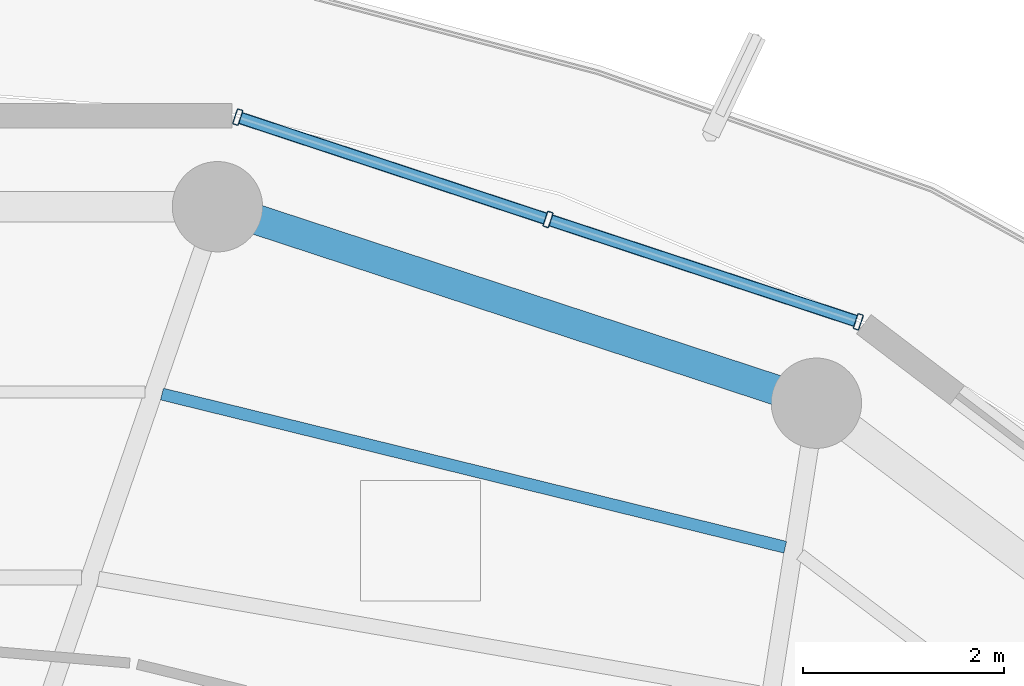
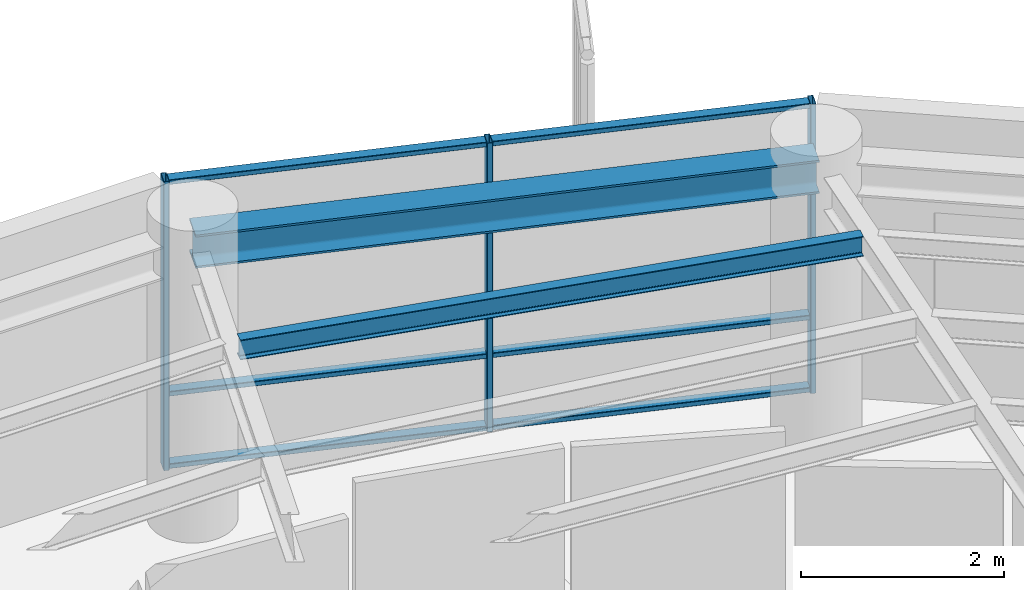
# One storey, part 14 of 23: 9 members, 2 beams, 1 element without a shape of its own.
"""IFC4 building model written with IfcOpenShell, lengths in metres."""

from ifc_helpers import new_model, si_unit, direction, frame, origin, origin_2d, place, context, subcontext, project, spatial, hollow_rectangle, i_section, extrude, material, layer, layer_set, material_profile, profile_set, type_object, element, aggregate, save


model = new_model("IFC4")

# Units and contexts
model_context = context("Model", 3, precision=1e-05, world=origin(), true_north=direction((0.0, 1.0)))
body_context = subcontext(model_context, "Body", "Model", "MODEL_VIEW")
ifc_project = project(units=[si_unit("LENGTHUNIT", "METRE"), si_unit("AREAUNIT", "SQUARE_METRE"), si_unit("VOLUMEUNIT", "CUBIC_METRE"), si_unit("PLANEANGLEUNIT", "RADIAN"), si_unit("MASSUNIT", "GRAM", prefix="KILO")], contexts=[model_context])

# Site, building, storey
site_placement = place(None, origin())
site = spatial("IfcSite", under=ifc_project, at=site_placement, CompositionType="ELEMENT")
building_placement = place(site_placement, origin())
building = spatial("IfcBuilding", under=site, at=building_placement, Name="Kelanora Arch Commons", CompositionType="ELEMENT")
storey_placement = place(building_placement, frame((0.0, 0.0, 286.199951171875)))
storey = spatial("IfcBuildingStorey", under=building, at=storey_placement, Name="L73", CompositionType="ELEMENT", Elevation=286.199951171875)

# Beams
ifc_material_1 = material(Name="Steel S355", Category="steel")
ifc_material_profile_1 = material_profile(ifc_material_1, i_section(OverallWidth=0.1201171875, OverallDepth=0.239990234375, WebThickness=0.006103515625, FlangeThickness=0.009765625, FilletRadius=0.014892578125, at=origin_2d()), Name="IPE240")
ifc_profile_set_1 = profile_set([ifc_material_profile_1], Name="Steel S355")
beam_type_1 = type_object("IfcBeamType", Name="BM-JST-02", PredefinedType="JOIST", material=ifc_profile_set_1)
beam_1_placement = place(storey_placement, frame((82.82958984375, 70.837890625, 3.3701171875), z_axis=(-0.971109719488, 0.23863342749, 0.0), x_axis=(-0.23863342749, -0.971109719488, 0.0)))
element("IfcBeam", 1, at=beam_1_placement, inside=storey, type_object=beam_type_1, Name="Secondary Chord Joist BJC-06 L73", PredefinedType="JOIST", context=body_context, shape_type="SweptSolid", body=[
    extrude(i_section(OverallWidth=0.1201171875, OverallDepth=0.239990234375, WebThickness=0.006103515625, FlangeThickness=0.009765625, FilletRadius=0.014892578125, at=origin_2d()), origin(), (0.0, 0.0, 1.0), 6.39208984375),
])
ifc_material_profile_2 = material_profile(ifc_material_1, i_section(OverallWidth=0.300048828125, OverallDepth=0.39990234375, WebThickness=0.013427734375, FlangeThickness=0.02392578125, FilletRadius=0.027099609375, at=origin_2d()), Name="HEB400")
ifc_profile_set_2 = profile_set([ifc_material_profile_2], Name="Steel S355")
beam_type_2 = type_object("IfcBeamType", Name="BM-SPN-Z4", PredefinedType="SPANDREL", material=ifc_profile_set_2)
beam_2_placement = place(storey_placement, frame((83.139892578125, 72.272216796875, 3.2900390625), z_axis=(-0.950165923039, 0.311744636996, 0.0), x_axis=(-0.311744636996, -0.950165923039, 0.0)))
element("IfcBeam", 2, at=beam_2_placement, inside=storey, type_object=beam_type_2, Name="Perimeter Spandrel Beam BS-06 L73", PredefinedType="SPANDREL", context=body_context, shape_type="SweptSolid", body=[
    extrude(i_section(OverallWidth=0.300048828125, OverallDepth=0.39990234375, WebThickness=0.013427734375, FlangeThickness=0.02392578125, FilletRadius=0.027099609375, at=origin_2d()), origin(), (0.0, 0.0, 1.0), 6.278564453125),
])

# Curtain wall, members
ifc_material_2 = material(Name="Terracotta ceramic-fritted low-E glass and aluminium", Category="masonry")
ifc_layer = layer(ifc_material_2, 0.18994140625)
ifc_layer_set = layer_set([ifc_layer], Name="Terracotta ceramic-fritted low-E glass and aluminium")
curtain_wall_type = type_object("IfcCurtainWallType", Name="CW-SYS-03", PredefinedType="NOTDEFINED", material=ifc_layer_set)
curtain_wall_placement = place(storey_placement, origin())
curtain_wall = element("IfcCurtainWall", 3, at=curtain_wall_placement, inside=storey, type_object=curtain_wall_type, Name="Unitised Curtain Wall L73-B03", PredefinedType="NOTDEFINED")
ifc_material_3 = material(Name="Powder-coated aluminium terracotta", Category="masonry")
ifc_material_profile_3 = material_profile(ifc_material_3, hollow_rectangle(XDim=0.159912109375, YDim=0.06005859375, WallThickness=0.0048828125, InnerFilletRadius=0.0048828125, OuterFilletRadius=0.010009765625, at=origin_2d()), Name="CWM160x60")
ifc_profile_set_3 = profile_set([ifc_material_profile_3], Name="Powder-coated aluminium terracotta")
member_type_1 = type_object("IfcMemberType", Name="CWM-STD", PredefinedType="MULLION", material=ifc_profile_set_3)
member_1_placement = place(storey_placement, frame((83.557373046875, 73.0830078125, 0.0), z_axis=(0.0, 0.0, 1.0), x_axis=(-0.313252785344, -0.949669780752, 0.0)))
member_1 = element("IfcMember", 4, at=member_1_placement, type_object=member_type_1, Name="CW-03 mullion 1", PredefinedType="MULLION", context=body_context, shape_type="SweptSolid", body=[
    extrude(hollow_rectangle(XDim=0.159912109375, YDim=0.06005859375, WallThickness=0.0048828125, InnerFilletRadius=0.0048828125, OuterFilletRadius=0.010009765625, at=origin_2d()), origin(), (0.0, 0.0, 1.0), 3.47509765625),
])
member_2_placement = place(storey_placement, frame((80.467041015625, 74.102294921875, 0.0), z_axis=(0.0, 0.0, 1.0), x_axis=(-0.313252785344, -0.949669780752, 0.0)))
member_2 = element("IfcMember", 5, at=member_2_placement, type_object=member_type_1, Name="CW-03 mullion 2", PredefinedType="MULLION", context=body_context, shape_type="SweptSolid", body=[
    extrude(hollow_rectangle(XDim=0.159912109375, YDim=0.06005859375, WallThickness=0.0048828125, InnerFilletRadius=0.0048828125, OuterFilletRadius=0.010009765625, at=origin_2d()), origin(), (0.0, 0.0, 1.0), 3.47509765625),
])
member_3_placement = place(storey_placement, frame((77.376708984375, 75.12158203125, 0.0), z_axis=(0.0, 0.0, 1.0), x_axis=(-0.313252785344, -0.949669780752, 0.0)))
member_3 = element("IfcMember", 6, at=member_3_placement, type_object=member_type_1, Name="CW-03 mullion 3", PredefinedType="MULLION", context=body_context, shape_type="SweptSolid", body=[
    extrude(hollow_rectangle(XDim=0.159912109375, YDim=0.06005859375, WallThickness=0.0048828125, InnerFilletRadius=0.0048828125, OuterFilletRadius=0.010009765625, at=origin_2d()), origin(), (0.0, 0.0, 1.0), 3.47509765625),
])
ifc_material_profile_4 = material_profile(ifc_material_3, hollow_rectangle(XDim=0.1201171875, YDim=0.06005859375, WallThickness=0.0048828125, InnerFilletRadius=0.0048828125, OuterFilletRadius=0.010009765625, at=origin_2d()), Name="CWT120x60")
ifc_profile_set_4 = profile_set([ifc_material_profile_4], Name="Powder-coated aluminium terracotta")
member_type_2 = type_object("IfcMemberType", Name="CWT-STD", PredefinedType="USERDEFINED", material=ifc_profile_set_4)
member_4_placement = place(storey_placement, frame((83.52880859375, 73.09228515625, 0.030029296875), z_axis=(-0.949672315102, 0.313245102003, 0.0), x_axis=(-0.313245102003, -0.949672315102, 0.0)))
member_4 = element("IfcMember", 7, at=member_4_placement, type_object=member_type_2, Name="CW-03 transom 1.1", ObjectType="TRANSOM", PredefinedType="USERDEFINED", context=body_context, shape_type="SweptSolid", body=[
    extrude(hollow_rectangle(XDim=0.1201171875, YDim=0.06005859375, WallThickness=0.0048828125, InnerFilletRadius=0.0048828125, OuterFilletRadius=0.010009765625, at=origin_2d()), origin(), (0.0, 0.0, 1.0), 3.19384765625),
])
member_5_placement = place(storey_placement, frame((83.52880859375, 73.09228515625, 0.900146484375), z_axis=(-0.949672315102, 0.313245102003, 0.0), x_axis=(-0.313245102003, -0.949672315102, 0.0)))
member_5 = element("IfcMember", 8, at=member_5_placement, type_object=member_type_2, Name="CW-03 transom 1.2", ObjectType="TRANSOM", PredefinedType="USERDEFINED", context=body_context, shape_type="SweptSolid", body=[
    extrude(hollow_rectangle(XDim=0.1201171875, YDim=0.06005859375, WallThickness=0.0048828125, InnerFilletRadius=0.0048828125, OuterFilletRadius=0.010009765625, at=origin_2d()), origin(), (0.0, 0.0, 1.0), 3.19384765625),
])
member_6_placement = place(storey_placement, frame((83.52880859375, 73.09228515625, 3.445068359375), z_axis=(-0.949672315102, 0.313245102003, 0.0), x_axis=(-0.313245102003, -0.949672315102, 0.0)))
member_6 = element("IfcMember", 9, at=member_6_placement, type_object=member_type_2, Name="CW-03 transom 1.3", ObjectType="TRANSOM", PredefinedType="USERDEFINED", context=body_context, shape_type="SweptSolid", body=[
    extrude(hollow_rectangle(XDim=0.1201171875, YDim=0.06005859375, WallThickness=0.0048828125, InnerFilletRadius=0.0048828125, OuterFilletRadius=0.010009765625, at=origin_2d()), origin(), (0.0, 0.0, 1.0), 3.19384765625),
])
member_7_placement = place(storey_placement, frame((80.4384765625, 74.111572265625, 0.030029296875), z_axis=(-0.949649574195, 0.313314037719, 0.0), x_axis=(-0.313314037719, -0.949649574195, 0.0)))
member_7 = element("IfcMember", 10, at=member_7_placement, type_object=member_type_2, Name="CW-03 transom 2.1", ObjectType="TRANSOM", PredefinedType="USERDEFINED", context=body_context, shape_type="SweptSolid", body=[
    extrude(hollow_rectangle(XDim=0.1201171875, YDim=0.06005859375, WallThickness=0.0048828125, InnerFilletRadius=0.0048828125, OuterFilletRadius=0.010009765625, at=origin_2d()), origin(), (0.0, 0.0, 1.0), 3.194091796875),
])
member_8_placement = place(storey_placement, frame((80.4384765625, 74.111572265625, 0.900146484375), z_axis=(-0.949649574195, 0.313314037719, 0.0), x_axis=(-0.313314037719, -0.949649574195, 0.0)))
member_8 = element("IfcMember", 11, at=member_8_placement, type_object=member_type_2, Name="CW-03 transom 2.2", ObjectType="TRANSOM", PredefinedType="USERDEFINED", context=body_context, shape_type="SweptSolid", body=[
    extrude(hollow_rectangle(XDim=0.1201171875, YDim=0.06005859375, WallThickness=0.0048828125, InnerFilletRadius=0.0048828125, OuterFilletRadius=0.010009765625, at=origin_2d()), origin(), (0.0, 0.0, 1.0), 3.194091796875),
])
member_9_placement = place(storey_placement, frame((80.4384765625, 74.111572265625, 3.445068359375), z_axis=(-0.949649574195, 0.313314037719, 0.0), x_axis=(-0.313314037719, -0.949649574195, 0.0)))
member_9 = element("IfcMember", 12, at=member_9_placement, type_object=member_type_2, Name="CW-03 transom 2.3", ObjectType="TRANSOM", PredefinedType="USERDEFINED", context=body_context, shape_type="SweptSolid", body=[
    extrude(hollow_rectangle(XDim=0.1201171875, YDim=0.06005859375, WallThickness=0.0048828125, InnerFilletRadius=0.0048828125, OuterFilletRadius=0.010009765625, at=origin_2d()), origin(), (0.0, 0.0, 1.0), 3.194091796875),
])
aggregate(curtain_wall, [member_1, member_2, member_3, member_4, member_5, member_6, member_7, member_8, member_9])

save(model, "model.ifc")
